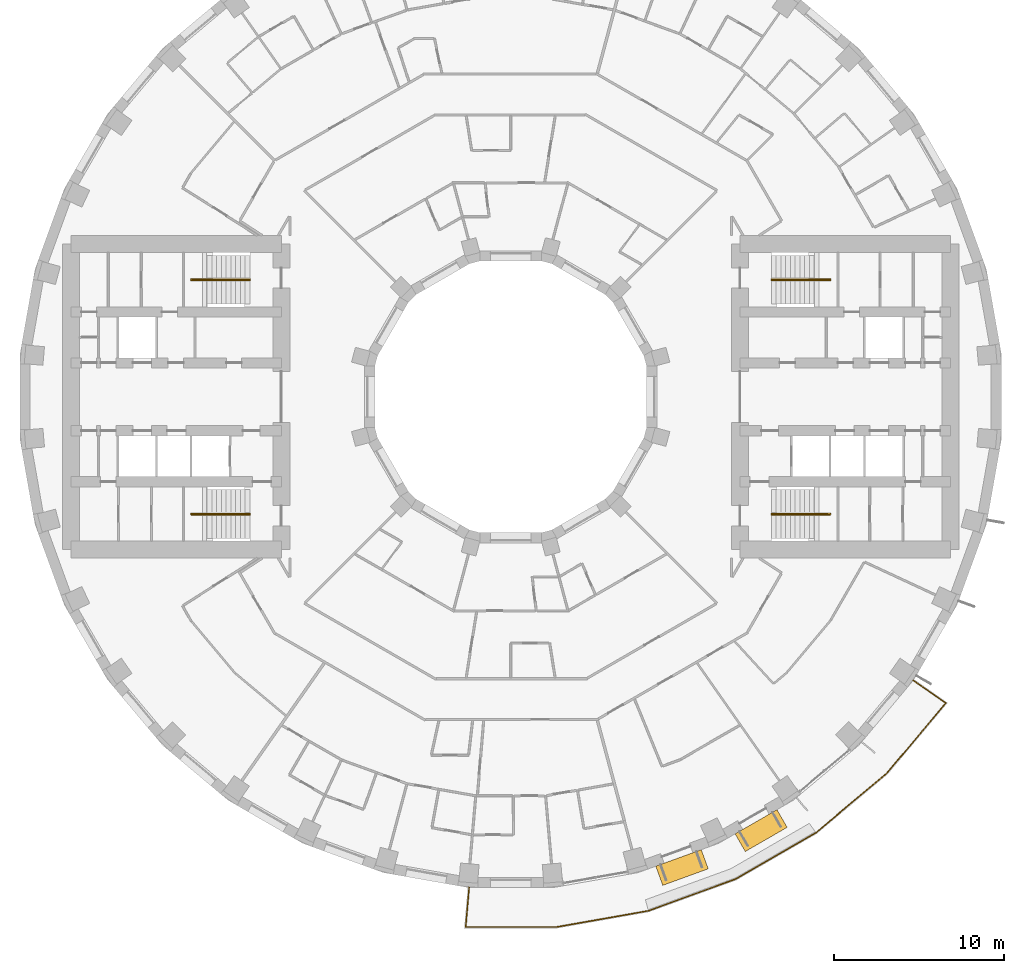
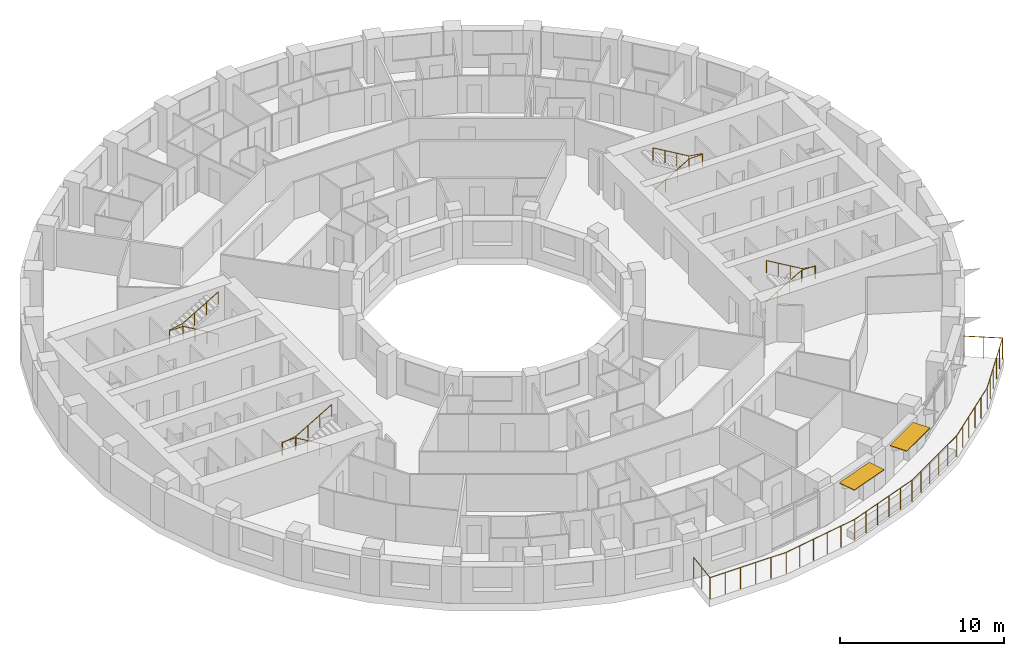
# One storey, part 16 of 16: 5 railings, 2 shading devices.
"""IFC4 building model written with IfcOpenShell, lengths in metres."""

from ifc_helpers import new_model, si_unit, direction, frame, origin, origin_2d, place, context, subcontext, project, spatial, rectangle, circle, extrude, material, layer, layer_set, type_object, element, save


model = new_model("IFC4")

# Units and contexts
model_context = context("Model", 3, precision=1e-05, world=origin(), true_north=direction((0.0, 1.0)))
body_context = subcontext(model_context, "Body", "Model", "MODEL_VIEW")
ifc_project = project(units=[si_unit("LENGTHUNIT", "METRE"), si_unit("AREAUNIT", "SQUARE_METRE"), si_unit("VOLUMEUNIT", "CUBIC_METRE"), si_unit("PLANEANGLEUNIT", "RADIAN"), si_unit("MASSUNIT", "GRAM", prefix="KILO")], contexts=[model_context])

# Site, building, storey
site_placement = place(None, origin())
site = spatial("IfcSite", under=ifc_project, at=site_placement, CompositionType="ELEMENT")
building_placement = place(site_placement, origin())
building = spatial("IfcBuilding", under=site, at=building_placement, Name="Saqina Gate Tower", CompositionType="ELEMENT")
storey_placement = place(building_placement, frame((0.0, 0.0, 32.89990234375)))
storey = spatial("IfcBuildingStorey", under=building, at=storey_placement, Name="L08", CompositionType="ELEMENT", Elevation=32.89990234375)

# Shading devices
ifc_material_1 = material(Name="Aluminium and fabric awning", Category="aluminium")
ifc_layer = layer(ifc_material_1, 0.050048828125)
ifc_layer_set = layer_set([ifc_layer], Name="AW-TERRACE")
shading_device_type = type_object("IfcShadingDeviceType", Name="AW-TERRACE", PredefinedType="AWNING", material=ifc_layer_set)
for number, where, z_axis, x_axis, name in (
    (1, (10.086181640625, -27.711181640625, 2.52490234375), (0.0, 0.0, 1.0), (0.939692620786, 0.342020143326, 0.0), "Terrace awning L08 facet 29"),
    (2, (14.744873046875, -25.538818359375, 2.52490234375), (0.0, 0.0, 1.0), (0.866025403784, 0.5, 0.0), "Terrace awning L08 facet 30"),
):
    element("IfcShadingDevice", number, at=place(storey_placement, frame(where, z_axis=z_axis, x_axis=x_axis)), inside=storey, type_object=shading_device_type, Name=name, PredefinedType="AWNING", context=body_context, shape_type="SweptSolid", body=[
        extrude(rectangle(XDim=2.845703125, YDim=1.199951171875, at=origin_2d()), origin(), (0.0, 0.0, 1.0), 0.050048828125),
    ])

# Railings
ifc_material_2 = material(Name="Stainless steel", Category="steel")
railing_type_1 = type_object("IfcRailingType", Name="RL-TERRACE", PredefinedType="GUARDRAIL", material=ifc_material_2)
railing_1_placement = place(storey_placement, frame((-2.442626953125, -28.8369140625, 0.0)))
element("IfcRailing", 3, at=railing_1_placement, inside=storey, type_object=railing_type_1, Name="Terrace guard L08", PredefinedType="GUARDRAIL", context=body_context, shape_type="SweptSolid", body=[
    extrude(circle(Radius=0.02392578125, at=origin_2d()), frame((0.0, 0.0, 1.576171875), z_axis=(-0.087180896688, -0.996192497087, 0.0), x_axis=(0.996192497087, -0.087180896688, 0.0)), (0.0, 0.0, 1.0), 2.388671875),
    extrude(circle(Radius=0.02392578125, at=origin_2d()), frame((-0.208251953125, -2.379638671875, 1.576171875), z_axis=(0.999999193167, 0.001270301126, 0.0), x_axis=(-0.001270301126, 0.999999193167, 0.0)), (0.0, 0.0, 1.0), 5.38134765625),
    extrude(circle(Radius=0.02392578125, at=origin_2d()), frame((5.173095703125, -2.372802734375, 1.576171875), z_axis=(0.984808752483, 0.17364250929, 0.0), x_axis=(-0.17364250929, 0.984808752483, 0.0)), (0.0, 0.0, 1.0), 5.4609375),
    extrude(circle(Radius=0.02392578125, at=origin_2d()), frame((10.551025390625, -1.424560546875, 1.576171875), z_axis=(0.939682423935, 0.342048157644, 0.0), x_axis=(-0.342048157644, 0.939682423935, 0.0)), (0.0, 0.0, 1.0), 5.4609375),
    extrude(circle(Radius=0.02392578125, at=origin_2d()), frame((15.6826171875, 0.443359375, 1.576171875), z_axis=(0.866033716285, 0.499985602051, 0.0), x_axis=(-0.499985602051, 0.866033716285, 0.0)), (0.0, 0.0, 1.0), 5.461181640625),
    extrude(circle(Radius=0.02392578125, at=origin_2d()), frame((20.412109375, 3.173828125, 1.576171875), z_axis=(0.766043830705, 0.642788339532, 0.0), x_axis=(-0.642788339532, 0.766043830705, 0.0)), (0.0, 0.0, 1.0), 5.4609375),
    extrude(circle(Radius=0.02392578125, at=origin_2d()), frame((24.595458984375, 6.68408203125, 1.576171875), z_axis=(0.643769641069, 0.76521934714, 0.0), x_axis=(-0.76521934714, 0.643769641069, 0.0)), (0.0, 0.0, 1.0), 5.38134765625),
    extrude(circle(Radius=0.02392578125, at=origin_2d()), frame((28.059814453125, 10.802001953125, 1.576171875), z_axis=(-0.819159891559, 0.573565229124, 0.0), x_axis=(-0.573565229124, -0.819159891559, 0.0)), (0.0, 0.0, 1.0), 2.388671875),
    extrude(circle(Radius=0.02099609375, at=origin_2d()), origin(), (0.0, 0.0, 1.0), 1.552001953125),
    extrude(circle(Radius=0.02099609375, at=origin_2d()), frame((-0.10400390625, -1.18994140625, 0.0)), (0.0, 0.0, 1.0), 1.552001953125),
    extrude(circle(Radius=0.02099609375, at=origin_2d()), frame((-0.208251953125, -2.379638671875, 0.0)), (0.0, 0.0, 1.0), 1.552001953125),
    extrude(circle(Radius=0.02099609375, at=origin_2d()), frame((0.867919921875, -2.378173828125, 0.0)), (0.0, 0.0, 1.0), 1.552001953125),
    extrude(circle(Radius=0.02099609375, at=origin_2d()), frame((1.9443359375, -2.376953125, 0.0)), (0.0, 0.0, 1.0), 1.552001953125),
    extrude(circle(Radius=0.02099609375, at=origin_2d()), frame((3.0205078125, -2.37548828125, 0.0)), (0.0, 0.0, 1.0), 1.552001953125),
    extrude(circle(Radius=0.02099609375, at=origin_2d()), frame((4.096923828125, -2.374267578125, 0.0)), (0.0, 0.0, 1.0), 1.552001953125),
    extrude(circle(Radius=0.02099609375, at=origin_2d()), frame((5.173095703125, -2.372802734375, 0.0)), (0.0, 0.0, 1.0), 1.552001953125),
    extrude(circle(Radius=0.02099609375, at=origin_2d()), frame((6.248779296875, -2.18310546875, 0.0)), (0.0, 0.0, 1.0), 1.552001953125),
    extrude(circle(Radius=0.02099609375, at=origin_2d()), frame((7.32421875, -1.993408203125, 0.0)), (0.0, 0.0, 1.0), 1.552001953125),
    extrude(circle(Radius=0.02099609375, at=origin_2d()), frame((8.39990234375, -1.803955078125, 0.0)), (0.0, 0.0, 1.0), 1.552001953125),
    extrude(circle(Radius=0.02099609375, at=origin_2d()), frame((9.475341796875, -1.6142578125, 0.0)), (0.0, 0.0, 1.0), 1.552001953125),
    extrude(circle(Radius=0.02099609375, at=origin_2d()), frame((10.551025390625, -1.424560546875, 0.0)), (0.0, 0.0, 1.0), 1.552001953125),
    extrude(circle(Radius=0.02099609375, at=origin_2d()), frame((11.577392578125, -1.051025390625, 0.0)), (0.0, 0.0, 1.0), 1.552001953125),
    extrude(circle(Radius=0.02099609375, at=origin_2d()), frame((12.603759765625, -0.677490234375, 0.0)), (0.0, 0.0, 1.0), 1.552001953125),
    extrude(circle(Radius=0.02099609375, at=origin_2d()), frame((13.6298828125, -0.3037109375, 0.0)), (0.0, 0.0, 1.0), 1.552001953125),
    extrude(circle(Radius=0.02099609375, at=origin_2d()), frame((14.65625, 0.06982421875, 0.0)), (0.0, 0.0, 1.0), 1.552001953125),
    extrude(circle(Radius=0.02099609375, at=origin_2d()), frame((15.6826171875, 0.443359375, 0.0)), (0.0, 0.0, 1.0), 1.552001953125),
    extrude(circle(Radius=0.02099609375, at=origin_2d()), frame((16.62841796875, 0.989501953125, 0.0)), (0.0, 0.0, 1.0), 1.552001953125),
    extrude(circle(Radius=0.02099609375, at=origin_2d()), frame((17.574462890625, 1.53564453125, 0.0)), (0.0, 0.0, 1.0), 1.552001953125),
    extrude(circle(Radius=0.02099609375, at=origin_2d()), frame((18.520263671875, 2.08154296875, 0.0)), (0.0, 0.0, 1.0), 1.552001953125),
    extrude(circle(Radius=0.02099609375, at=origin_2d()), frame((19.46630859375, 2.627685546875, 0.0)), (0.0, 0.0, 1.0), 1.552001953125),
    extrude(circle(Radius=0.02099609375, at=origin_2d()), frame((20.412109375, 3.173828125, 0.0)), (0.0, 0.0, 1.0), 1.552001953125),
    extrude(circle(Radius=0.02099609375, at=origin_2d()), frame((21.248779296875, 3.8759765625, 0.0)), (0.0, 0.0, 1.0), 1.552001953125),
    extrude(circle(Radius=0.02099609375, at=origin_2d()), frame((22.08544921875, 4.577880859375, 0.0)), (0.0, 0.0, 1.0), 1.552001953125),
    extrude(circle(Radius=0.02099609375, at=origin_2d()), frame((22.922119140625, 5.280029296875, 0.0)), (0.0, 0.0, 1.0), 1.552001953125),
    extrude(circle(Radius=0.02099609375, at=origin_2d()), frame((23.7587890625, 5.98193359375, 0.0)), (0.0, 0.0, 1.0), 1.552001953125),
    extrude(circle(Radius=0.02099609375, at=origin_2d()), frame((24.595458984375, 6.68408203125, 0.0)), (0.0, 0.0, 1.0), 1.552001953125),
    extrude(circle(Radius=0.02099609375, at=origin_2d()), frame((25.288330078125, 7.507568359375, 0.0)), (0.0, 0.0, 1.0), 1.552001953125),
    extrude(circle(Radius=0.02099609375, at=origin_2d()), frame((25.981201171875, 8.331298828125, 0.0)), (0.0, 0.0, 1.0), 1.552001953125),
    extrude(circle(Radius=0.02099609375, at=origin_2d()), frame((26.674072265625, 9.15478515625, 0.0)), (0.0, 0.0, 1.0), 1.552001953125),
    extrude(circle(Radius=0.02099609375, at=origin_2d()), frame((27.366943359375, 9.978515625, 0.0)), (0.0, 0.0, 1.0), 1.552001953125),
    extrude(circle(Radius=0.02099609375, at=origin_2d()), frame((28.059814453125, 10.802001953125, 0.0)), (0.0, 0.0, 1.0), 1.552001953125),
    extrude(circle(Radius=0.02099609375, at=origin_2d()), frame((27.08154296875, 11.487060546875, 0.0)), (0.0, 0.0, 1.0), 1.552001953125),
    extrude(circle(Radius=0.02099609375, at=origin_2d()), frame((26.10302734375, 12.172119140625, 0.0)), (0.0, 0.0, 1.0), 1.552001953125),
])
ifc_material_3 = material(Name="Stainless steel", Category="steel")
railing_type_2 = type_object("IfcRailingType", Name="STAIR HANDRAIL", PredefinedType="HANDRAIL", material=ifc_material_3)
railing_2_placement = place(storey_placement, frame((15.35009765625, 6.86669921875, 0.1650390625)))
element("IfcRailing", 4, at=railing_2_placement, inside=storey, type_object=railing_type_2, Name="EXIT STAIR 1 HANDRAIL", PredefinedType="HANDRAIL", context=body_context, shape_type="SweptSolid", body=[
    extrude(circle(Radius=0.02392578125, at=origin_2d()), frame((0.0, 0.0, 0.92578125), z_axis=(0.86152411907, 0.0, 0.507716645641), x_axis=(0.0, 1.0, 0.0)), (0.0, 0.0, 1.0), 2.925048828125),
    extrude(circle(Radius=0.02392578125, at=origin_2d()), frame((2.52001953125, 0.0, 2.4111328125), z_axis=(1.0, 0.0, 0.0), x_axis=(0.0, 1.0, 0.0)), (0.0, 0.0, 1.0), 0.949951171875),
    extrude(circle(Radius=0.02392578125, at=origin_2d()), frame((3.469970703125, 0.0, 2.4111328125), z_axis=(0.0, 1.0, 0.0), x_axis=(-1.0, 0.0, 0.0)), (0.0, 0.0, 1.0), 0.066650390625),
    extrude(circle(Radius=0.02392578125, at=origin_2d()), frame((3.469970703125, 0.066650390625, 2.4111328125), z_axis=(-0.985241474778, 0.0, 0.171170197109), x_axis=(0.0, -1.0, 0.0)), (0.0, 0.0, 1.0), 0.964111328125),
    extrude(circle(Radius=0.02392578125, at=origin_2d()), frame((2.52001953125, 0.066650390625, 2.576171875), z_axis=(-0.861560626758, 0.0, 0.507654692109), x_axis=(0.0, -1.0, 0.0)), (0.0, 0.0, 1.0), 2.925048828125),
    extrude(circle(Radius=0.02099609375, at=origin_2d()), origin(), (0.0, 0.0, 1.0), 0.90185546875),
    extrude(circle(Radius=0.02099609375, at=origin_2d()), frame((0.840087890625, 0.0, 0.4951171875)), (0.0, 0.0, 1.0), 0.90185546875),
    extrude(circle(Radius=0.02099609375, at=origin_2d()), frame((1.679931640625, 0.0, 0.989990234375)), (0.0, 0.0, 1.0), 0.90185546875),
    extrude(circle(Radius=0.02099609375, at=origin_2d()), frame((2.52001953125, 0.0, 1.485107421875)), (0.0, 0.0, 1.0), 0.90185546875),
    extrude(circle(Radius=0.02099609375, at=origin_2d()), frame((3.469970703125, 0.0, 1.485107421875)), (0.0, 0.0, 1.0), 0.90185546875),
    extrude(circle(Radius=0.02099609375, at=origin_2d()), frame((3.469970703125, 0.066650390625, 1.485107421875)), (0.0, 0.0, 1.0), 0.90185546875),
    extrude(circle(Radius=0.02099609375, at=origin_2d()), frame((2.52001953125, 0.066650390625, 1.650146484375)), (0.0, 0.0, 1.0), 0.90185546875),
    extrude(circle(Radius=0.02099609375, at=origin_2d()), frame((1.679931640625, 0.066650390625, 2.14501953125)), (0.0, 0.0, 1.0), 0.90185546875),
    extrude(circle(Radius=0.02099609375, at=origin_2d()), frame((0.840087890625, 0.066650390625, 2.64013671875)), (0.0, 0.0, 1.0), 0.90185546875),
    extrude(circle(Radius=0.02099609375, at=origin_2d()), frame((0.0, 0.066650390625, 3.135009765625)), (0.0, 0.0, 1.0), 0.90185546875),
])
railing_3_placement = place(storey_placement, frame((15.35009765625, -6.86669921875, 0.1650390625)))
element("IfcRailing", 5, at=railing_3_placement, inside=storey, type_object=railing_type_2, Name="EXIT STAIR 2 HANDRAIL", PredefinedType="HANDRAIL", context=body_context, shape_type="SweptSolid", body=[
    extrude(circle(Radius=0.02392578125, at=origin_2d()), frame((0.0, 0.0, 0.92578125), z_axis=(0.86152411907, 0.0, 0.507716645641), x_axis=(0.0, 1.0, 0.0)), (0.0, 0.0, 1.0), 2.925048828125),
    extrude(circle(Radius=0.02392578125, at=origin_2d()), frame((2.52001953125, 0.0, 2.4111328125), z_axis=(1.0, 0.0, 0.0), x_axis=(0.0, 1.0, 0.0)), (0.0, 0.0, 1.0), 0.949951171875),
    extrude(circle(Radius=0.02392578125, at=origin_2d()), frame((3.469970703125, 0.0, 2.4111328125), z_axis=(0.0, -1.0, 0.0), x_axis=(1.0, 0.0, 0.0)), (0.0, 0.0, 1.0), 0.066650390625),
    extrude(circle(Radius=0.02392578125, at=origin_2d()), frame((3.469970703125, -0.066650390625, 2.4111328125), z_axis=(-0.985241474778, 0.0, 0.171170197109), x_axis=(0.0, -1.0, 0.0)), (0.0, 0.0, 1.0), 0.964111328125),
    extrude(circle(Radius=0.02392578125, at=origin_2d()), frame((2.52001953125, -0.066650390625, 2.576171875), z_axis=(-0.861560626758, 0.0, 0.507654692109), x_axis=(0.0, -1.0, 0.0)), (0.0, 0.0, 1.0), 2.925048828125),
    extrude(circle(Radius=0.02099609375, at=origin_2d()), origin(), (0.0, 0.0, 1.0), 0.90185546875),
    extrude(circle(Radius=0.02099609375, at=origin_2d()), frame((0.840087890625, 0.0, 0.4951171875)), (0.0, 0.0, 1.0), 0.90185546875),
    extrude(circle(Radius=0.02099609375, at=origin_2d()), frame((1.679931640625, 0.0, 0.989990234375)), (0.0, 0.0, 1.0), 0.90185546875),
    extrude(circle(Radius=0.02099609375, at=origin_2d()), frame((2.52001953125, 0.0, 1.485107421875)), (0.0, 0.0, 1.0), 0.90185546875),
    extrude(circle(Radius=0.02099609375, at=origin_2d()), frame((3.469970703125, 0.0, 1.485107421875)), (0.0, 0.0, 1.0), 0.90185546875),
    extrude(circle(Radius=0.02099609375, at=origin_2d()), frame((3.469970703125, -0.066650390625, 1.485107421875)), (0.0, 0.0, 1.0), 0.90185546875),
    extrude(circle(Radius=0.02099609375, at=origin_2d()), frame((2.52001953125, -0.066650390625, 1.650146484375)), (0.0, 0.0, 1.0), 0.90185546875),
    extrude(circle(Radius=0.02099609375, at=origin_2d()), frame((1.679931640625, -0.066650390625, 2.14501953125)), (0.0, 0.0, 1.0), 0.90185546875),
    extrude(circle(Radius=0.02099609375, at=origin_2d()), frame((0.840087890625, -0.066650390625, 2.64013671875)), (0.0, 0.0, 1.0), 0.90185546875),
    extrude(circle(Radius=0.02099609375, at=origin_2d()), frame((0.0, -0.066650390625, 3.135009765625)), (0.0, 0.0, 1.0), 0.90185546875),
])
railing_4_placement = place(storey_placement, frame((-15.35009765625, 6.86669921875, 0.1650390625)))
element("IfcRailing", 6, at=railing_4_placement, inside=storey, type_object=railing_type_2, Name="EXIT STAIR 3 HANDRAIL", PredefinedType="HANDRAIL", context=body_context, shape_type="SweptSolid", body=[
    extrude(circle(Radius=0.02392578125, at=origin_2d()), frame((0.0, 0.0, 0.92578125), z_axis=(-0.86152411907, 0.0, 0.507716645641), x_axis=(0.0, -1.0, 0.0)), (0.0, 0.0, 1.0), 2.925048828125),
    extrude(circle(Radius=0.02392578125, at=origin_2d()), frame((-2.52001953125, 0.0, 2.4111328125), z_axis=(-1.0, 0.0, 0.0), x_axis=(0.0, -1.0, 0.0)), (0.0, 0.0, 1.0), 0.949951171875),
    extrude(circle(Radius=0.02392578125, at=origin_2d()), frame((-3.469970703125, 0.0, 2.4111328125), z_axis=(0.0, 1.0, 0.0), x_axis=(-1.0, 0.0, 0.0)), (0.0, 0.0, 1.0), 0.066650390625),
    extrude(circle(Radius=0.02392578125, at=origin_2d()), frame((-3.469970703125, 0.066650390625, 2.4111328125), z_axis=(0.985241474778, 0.0, 0.171170197109), x_axis=(0.0, 1.0, 0.0)), (0.0, 0.0, 1.0), 0.964111328125),
    extrude(circle(Radius=0.02392578125, at=origin_2d()), frame((-2.52001953125, 0.066650390625, 2.576171875), z_axis=(0.861560626758, 0.0, 0.507654692109), x_axis=(0.0, 1.0, 0.0)), (0.0, 0.0, 1.0), 2.925048828125),
    extrude(circle(Radius=0.02099609375, at=origin_2d()), origin(), (0.0, 0.0, 1.0), 0.90185546875),
    extrude(circle(Radius=0.02099609375, at=origin_2d()), frame((-0.840087890625, 0.0, 0.4951171875)), (0.0, 0.0, 1.0), 0.90185546875),
    extrude(circle(Radius=0.02099609375, at=origin_2d()), frame((-1.679931640625, 0.0, 0.989990234375)), (0.0, 0.0, 1.0), 0.90185546875),
    extrude(circle(Radius=0.02099609375, at=origin_2d()), frame((-2.52001953125, 0.0, 1.485107421875)), (0.0, 0.0, 1.0), 0.90185546875),
    extrude(circle(Radius=0.02099609375, at=origin_2d()), frame((-3.469970703125, 0.0, 1.485107421875)), (0.0, 0.0, 1.0), 0.90185546875),
    extrude(circle(Radius=0.02099609375, at=origin_2d()), frame((-3.469970703125, 0.066650390625, 1.485107421875)), (0.0, 0.0, 1.0), 0.90185546875),
    extrude(circle(Radius=0.02099609375, at=origin_2d()), frame((-2.52001953125, 0.066650390625, 1.650146484375)), (0.0, 0.0, 1.0), 0.90185546875),
    extrude(circle(Radius=0.02099609375, at=origin_2d()), frame((-1.679931640625, 0.066650390625, 2.14501953125)), (0.0, 0.0, 1.0), 0.90185546875),
    extrude(circle(Radius=0.02099609375, at=origin_2d()), frame((-0.840087890625, 0.066650390625, 2.64013671875)), (0.0, 0.0, 1.0), 0.90185546875),
    extrude(circle(Radius=0.02099609375, at=origin_2d()), frame((0.0, 0.066650390625, 3.135009765625)), (0.0, 0.0, 1.0), 0.90185546875),
])
railing_5_placement = place(storey_placement, frame((-15.35009765625, -6.86669921875, 0.1650390625)))
element("IfcRailing", 7, at=railing_5_placement, inside=storey, type_object=railing_type_2, Name="EXIT STAIR 4 HANDRAIL", PredefinedType="HANDRAIL", context=body_context, shape_type="SweptSolid", body=[
    extrude(circle(Radius=0.02392578125, at=origin_2d()), frame((0.0, 0.0, 0.92578125), z_axis=(-0.86152411907, 0.0, 0.507716645641), x_axis=(0.0, -1.0, 0.0)), (0.0, 0.0, 1.0), 2.925048828125),
    extrude(circle(Radius=0.02392578125, at=origin_2d()), frame((-2.52001953125, 0.0, 2.4111328125), z_axis=(-1.0, 0.0, 0.0), x_axis=(0.0, -1.0, 0.0)), (0.0, 0.0, 1.0), 0.949951171875),
    extrude(circle(Radius=0.02392578125, at=origin_2d()), frame((-3.469970703125, 0.0, 2.4111328125), z_axis=(0.0, -1.0, 0.0), x_axis=(1.0, 0.0, 0.0)), (0.0, 0.0, 1.0), 0.066650390625),
    extrude(circle(Radius=0.02392578125, at=origin_2d()), frame((-3.469970703125, -0.066650390625, 2.4111328125), z_axis=(0.985241474778, 0.0, 0.171170197109), x_axis=(0.0, 1.0, 0.0)), (0.0, 0.0, 1.0), 0.964111328125),
    extrude(circle(Radius=0.02392578125, at=origin_2d()), frame((-2.52001953125, -0.066650390625, 2.576171875), z_axis=(0.861560626758, 0.0, 0.507654692109), x_axis=(0.0, 1.0, 0.0)), (0.0, 0.0, 1.0), 2.925048828125),
    extrude(circle(Radius=0.02099609375, at=origin_2d()), origin(), (0.0, 0.0, 1.0), 0.90185546875),
    extrude(circle(Radius=0.02099609375, at=origin_2d()), frame((-0.840087890625, 0.0, 0.4951171875)), (0.0, 0.0, 1.0), 0.90185546875),
    extrude(circle(Radius=0.02099609375, at=origin_2d()), frame((-1.679931640625, 0.0, 0.989990234375)), (0.0, 0.0, 1.0), 0.90185546875),
    extrude(circle(Radius=0.02099609375, at=origin_2d()), frame((-2.52001953125, 0.0, 1.485107421875)), (0.0, 0.0, 1.0), 0.90185546875),
    extrude(circle(Radius=0.02099609375, at=origin_2d()), frame((-3.469970703125, 0.0, 1.485107421875)), (0.0, 0.0, 1.0), 0.90185546875),
    extrude(circle(Radius=0.02099609375, at=origin_2d()), frame((-3.469970703125, -0.066650390625, 1.485107421875)), (0.0, 0.0, 1.0), 0.90185546875),
    extrude(circle(Radius=0.02099609375, at=origin_2d()), frame((-2.52001953125, -0.066650390625, 1.650146484375)), (0.0, 0.0, 1.0), 0.90185546875),
    extrude(circle(Radius=0.02099609375, at=origin_2d()), frame((-1.679931640625, -0.066650390625, 2.14501953125)), (0.0, 0.0, 1.0), 0.90185546875),
    extrude(circle(Radius=0.02099609375, at=origin_2d()), frame((-0.840087890625, -0.066650390625, 2.64013671875)), (0.0, 0.0, 1.0), 0.90185546875),
    extrude(circle(Radius=0.02099609375, at=origin_2d()), frame((0.0, -0.066650390625, 3.135009765625)), (0.0, 0.0, 1.0), 0.90185546875),
])

save(model, "model.ifc")
